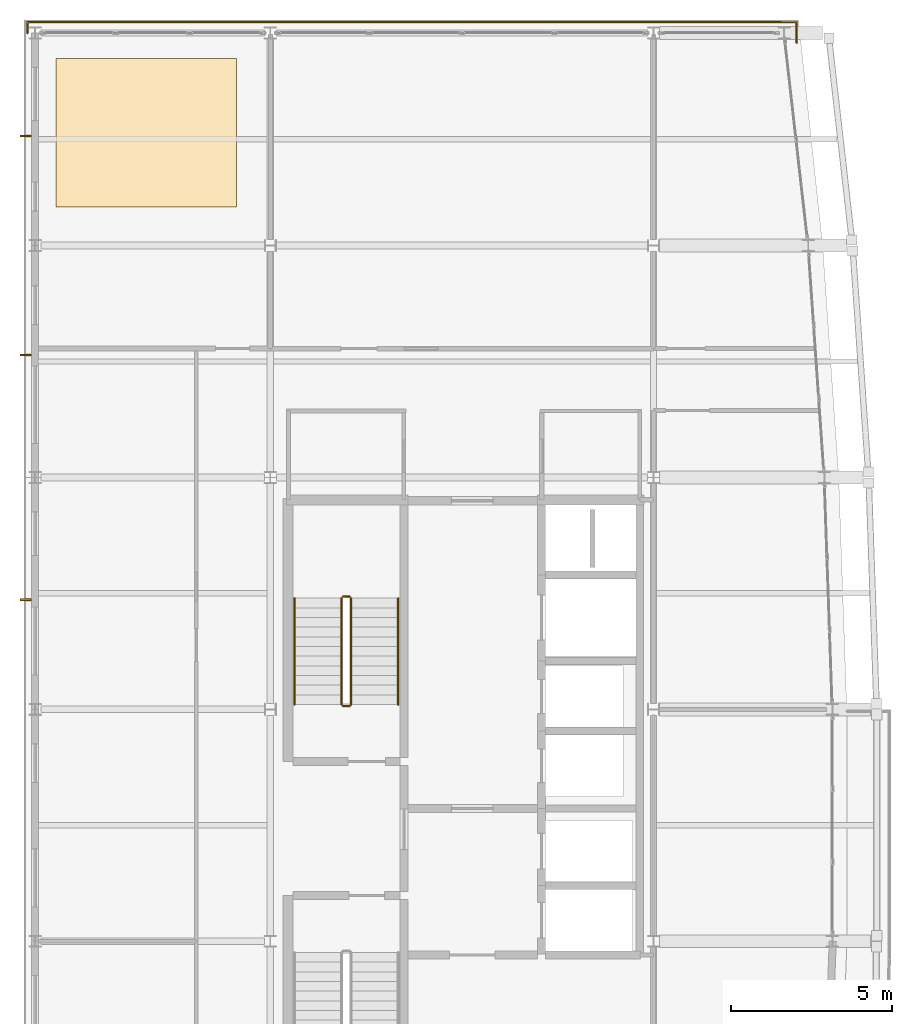
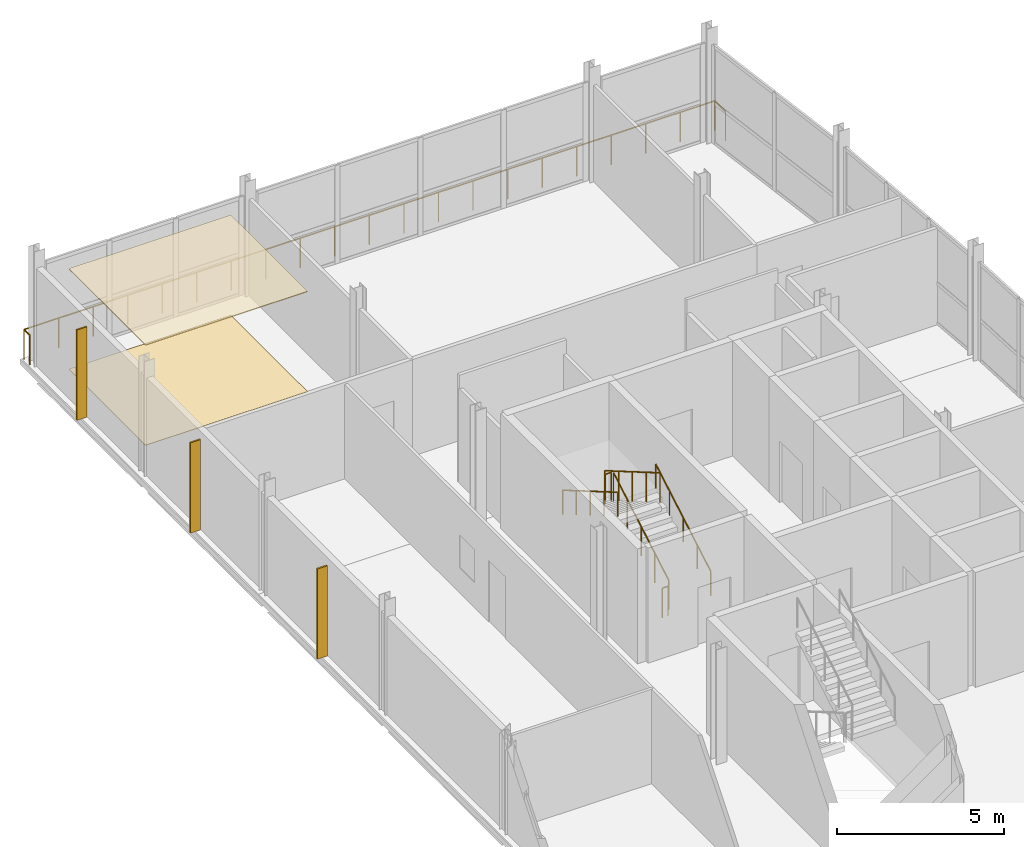
# One storey, part 17 of 17: 7 railings, 3 shading devices, 2 coverings.
"""IFC4 building model written with IfcOpenShell, lengths in metres."""

import ifcopenshell
import ifcopenshell.guid

model = None  # the IFC model being written
_history = None  # IfcOwnerHistory: only IFC2X3 demands one
_inside = {}  # id of a spatial element -> (the spatial element, [elements in it])
_under = {}  # id of a project, library or spatial element -> (it, [spatial elements below it])
_declared = {}  # id of a project -> (the project, [libraries it declares])
_typed = {}  # id of a type object -> (the type object, [elements of that type])
_made_of = {}  # id of a material, layer set ... -> (it, [elements and type objects made of it])


def new_model(schema):
    """Start an empty IFC model of exactly this schema.

    Asked for "IFC4X3", IfcOpenShell would pick the latest addendum, in which some entities
    have other attributes; the version numbers below select the first issue.
    IFC2X3 requires an IfcOwnerHistory on every rooted entity: one is made here for all.
    """
    global model, _history
    if schema == "IFC4X3":
        model = ifcopenshell.file(schema_version=(4, 3, 0, 0))
    else:
        model = ifcopenshell.file(schema=schema)
    _inside.clear()
    _under.clear()
    _declared.clear()
    _typed.clear()
    _made_of.clear()
    _history = None
    if model.schema == "IFC2X3":
        org = make("IfcOrganization", Name="unknown")
        user = make(
            "IfcPersonAndOrganization",
            ThePerson=make("IfcPerson", FamilyName="unknown"),
            TheOrganization=org,
        )
        app = make(
            "IfcApplication",
            ApplicationDeveloper=org,
            Version="unknown",
            ApplicationFullName="unknown",
            ApplicationIdentifier="unknown",
        )
        _history = make(
            "IfcOwnerHistory",
            OwningUser=user,
            OwningApplication=app,
            ChangeAction="ADDED",
            CreationDate=0,
        )
    return model


def make(cls, **values):
    """One entity of the class cls with the attributes given. An attribute that is None is left unset."""
    return model.create_entity(
        cls, **{name: value for name, value in values.items() if value is not None}
    )


def rooted(cls, **values):
    """An entity with a GlobalId (a new one), such as an element, a storey or a relation."""
    return make(cls, GlobalId=ifcopenshell.guid.new(), OwnerHistory=_history, **values)


def si_unit(unit_type, name, prefix=None):
    """IfcSIUnit, for example si_unit("LENGTHUNIT", "METRE", prefix="MILLI")."""
    return make("IfcSIUnit", UnitType=unit_type, Prefix=prefix, Name=name)


def assignment(units):
    """IfcUnitAssignment: the units of a project."""
    return None if units is None else make("IfcUnitAssignment", Units=units)


def point(xyz):
    """IfcCartesianPoint."""
    return None if xyz is None else make("IfcCartesianPoint", Coordinates=xyz)


def direction(xyz):
    """IfcDirection."""
    return None if xyz is None else make("IfcDirection", DirectionRatios=xyz)


def frame(location, z_axis=None, x_axis=None):
    """IfcAxis2Placement3D, a coordinate frame: its origin and axes. An axis left out is left unset."""
    return make(
        "IfcAxis2Placement3D",
        Location=point(location),
        Axis=direction(z_axis),
        RefDirection=direction(x_axis),
    )


def frame_2d(location, x_axis=None):
    """IfcAxis2Placement2D, a coordinate frame in the plane: its origin and x axis."""
    return make(
        "IfcAxis2Placement2D", Location=point(location), RefDirection=direction(x_axis)
    )


def origin():
    """The frame at (0, 0, 0) with its axes left unset."""
    return frame((0.0, 0.0, 0.0))


def origin_2d():
    """The frame at (0, 0) in the plane with its x axis left unset."""
    return frame_2d((0.0, 0.0))


def place(relative_to, where):
    """IfcLocalPlacement: puts the frame where relative to a parent placement (None: the world)."""
    return make(
        "IfcLocalPlacement", PlacementRelTo=relative_to, RelativePlacement=where
    )


def context(
    kind, dimensions, precision=None, world=None, true_north=None, identifier=None
):
    """IfcGeometricRepresentationContext, for example the 3D "Model" context."""
    return make(
        "IfcGeometricRepresentationContext",
        ContextIdentifier=identifier,
        ContextType=kind,
        CoordinateSpaceDimension=dimensions,
        Precision=precision,
        WorldCoordinateSystem=world,
        TrueNorth=true_north,
    )


def subcontext(parent, identifier, kind, view, scale=None):
    """IfcGeometricRepresentationSubContext, for example "Body" below "Model"."""
    return make(
        "IfcGeometricRepresentationSubContext",
        ContextIdentifier=identifier,
        ContextType=kind,
        ParentContext=parent,
        TargetScale=scale,
        TargetView=view,
    )


def project(units=None, contexts=None):
    """IfcProject with its units and contexts."""
    return rooted(
        "IfcProject",
        Name="project",
        RepresentationContexts=contexts,
        UnitsInContext=assignment(units),
    )


def spatial(cls, under=None, at=None, **own):
    """A site, building, storey or space (cls), placed at a placement, below another one or the project."""
    s = rooted(cls, ObjectPlacement=at, **own)
    if under is not None:
        _under.setdefault(under.id(), (under, []))[1].append(s)
    return s


def polyline(points):
    """IfcPolyline through the points."""
    return make("IfcPolyline", Points=[point(p) for p in points])


def profile(cls, at=None, kind="AREA", **sizes):
    """A parametric profile (cls). Its sizes go by their IFC names, for example OverallWidth=200.0."""
    return make(cls, ProfileType=kind, Position=at, **sizes)


def rectangle(**sizes):
    """IfcRectangleProfileDef."""
    return profile("IfcRectangleProfileDef", **sizes)


def circle(**sizes):
    """IfcCircleProfileDef."""
    return profile("IfcCircleProfileDef", **sizes)


def outline(outer, holes=None, kind="AREA"):
    """IfcArbitraryClosedProfileDef: a profile drawn as a closed curve; with holes, ...WithVoids."""
    if holes is None:
        return make("IfcArbitraryClosedProfileDef", ProfileType=kind, OuterCurve=outer)
    return make(
        "IfcArbitraryProfileDefWithVoids",
        ProfileType=kind,
        OuterCurve=outer,
        InnerCurves=holes,
    )


def extrude(swept, where, along, depth):
    """IfcExtrudedAreaSolid: the profile swept, set in the frame where, extruded along a direction by depth."""
    return make(
        "IfcExtrudedAreaSolid",
        SweptArea=swept,
        Position=where,
        ExtrudedDirection=direction(along),
        Depth=depth,
    )


def shape(context_of_items, identifier, shape_type, items):
    """IfcShapeRepresentation: the items that make up one representation, for example the "Body"."""
    return make(
        "IfcShapeRepresentation",
        ContextOfItems=context_of_items,
        RepresentationIdentifier=identifier,
        RepresentationType=shape_type,
        Items=items,
    )


def material(Name=None, Category=None):
    """IfcMaterial."""
    return make("IfcMaterial", Name=Name, Category=Category)


def layer(
    of_material, thickness, ventilated=None, Name=None, Category=None, Priority=None
):
    """IfcMaterialLayer: one layer of a wall or slab, of a material (None: an air gap)."""
    return make(
        "IfcMaterialLayer",
        Material=of_material,
        LayerThickness=thickness,
        IsVentilated=ventilated,
        Name=Name,
        Category=Category,
        Priority=Priority,
    )


def layer_set(layers, Name=None):
    """IfcMaterialLayerSet."""
    return make("IfcMaterialLayerSet", MaterialLayers=layers, LayerSetName=Name)


def made_of(thing, what):
    """Note that an element or type object is made of a material, layer set ...; save() writes the relation."""
    if what is not None:
        _made_of.setdefault(what.id(), (what, []))[1].append(thing)
    return thing


def type_object(cls, material=None, **own):
    """A type object (cls), such as IfcWallType, which elements share."""
    return made_of(rooted(cls, **own), material)


def element(
    cls,
    number,
    at=None,
    inside=None,
    cuts=None,
    type_object=None,
    material=None,
    context=None,
    identifier="Body",
    shape_type=None,
    held_by="IfcProductDefinitionShape",
    body=None,
    shapes=None,
    **own,
):
    """One element of the class cls, such as IfcWall. Its Tag is "e" and its number.

    at: its placement. inside: the storey or other place that contains it. cuts: it is an
    opening in that element (IfcRelVoidsElement). A single representation is given by context,
    identifier, shape_type and body (its items); several are given by shapes. held_by: the class
    of the entity that holds the representations. save() writes the other relations.
    """
    e = rooted(cls, Tag="e%d" % number, ObjectPlacement=at, **own)
    if body is not None:
        shapes = [shape(context, identifier, shape_type, body)]
    if shapes is not None:
        e.Representation = make(held_by, Representations=shapes)
    if inside is not None:
        _inside.setdefault(inside.id(), (inside, []))[1].append(e)
    if cuts is not None:
        rooted(
            "IfcRelVoidsElement", RelatingBuildingElement=cuts, RelatedOpeningElement=e
        )
    if type_object is not None:
        _typed.setdefault(type_object.id(), (type_object, []))[1].append(e)
    return made_of(e, material)


def aggregate(whole, parts):
    """IfcRelAggregates: a whole, such as a stair, and the parts it consists of."""
    return rooted("IfcRelAggregates", RelatingObject=whole, RelatedObjects=parts)


def save(model, path):
    """Write the relations noted so far, then the file.

    IfcRelAggregates (storeys below a building ...), IfcRelContainedInSpatialStructure (elements
    in a storey), IfcRelDefinesByType, IfcRelAssociatesMaterial and IfcRelDeclares: one each for
    every whole, place, type object, material and project.
    """
    for whole, parts in _under.values():
        aggregate(whole, parts)
    for where, things in _inside.values():
        rooted(
            "IfcRelContainedInSpatialStructure",
            RelatedElements=things,
            RelatingStructure=where,
        )
    for kind, things in _typed.values():
        rooted("IfcRelDefinesByType", RelatedObjects=things, RelatingType=kind)
    for what, things in _made_of.values():
        rooted("IfcRelAssociatesMaterial", RelatedObjects=things, RelatingMaterial=what)
    for by, libraries in _declared.values():
        rooted("IfcRelDeclares", RelatingContext=by, RelatedDefinitions=libraries)
    model.write(path)


model = new_model("IFC4")

# Units and contexts
model_context = context("Model", 3, precision=1e-05, world=origin(), true_north=direction((0.0, 1.0)))
body_context = subcontext(model_context, "Body", "Model", "MODEL_VIEW")
ifc_project = project(units=[si_unit("LENGTHUNIT", "METRE"), si_unit("AREAUNIT", "SQUARE_METRE"), si_unit("VOLUMEUNIT", "CUBIC_METRE"), si_unit("PLANEANGLEUNIT", "RADIAN"), si_unit("MASSUNIT", "GRAM", prefix="KILO")], contexts=[model_context])

# Site, building, storey
site_placement = place(None, origin())
site = spatial("IfcSite", under=ifc_project, at=site_placement, CompositionType="ELEMENT")
building_placement = place(site_placement, origin())
building = spatial("IfcBuilding", under=site, at=building_placement, Name="Quillay Park Conservatory", CompositionType="ELEMENT")
storey_placement = place(building_placement, frame((0.0, 0.0, 47.699951171875)))
storey = spatial("IfcBuildingStorey", under=building, at=storey_placement, Name="L11", CompositionType="ELEMENT", Elevation=47.699951171875)

# Coverings
ifc_material_1 = material(Name="Perforated Mineral-Fibre Acoustic Ceiling")
ifc_layer_1 = layer(ifc_material_1, 0.030029296875)
ifc_layer_set_1 = layer_set([ifc_layer_1], Name="LABORATORY HYGIENIC CEILING 30 (Perforated Mineral-Fibre Acoustic Ceiling)")
covering_type_1 = type_object("IfcCoveringType", Name="LABORATORY HYGIENIC CEILING 30", PredefinedType="CEILING", material=ifc_layer_set_1)
covering_1_placement = place(storey_placement, frame((0.0, 0.0, 3.656982421875)))
element("IfcCovering", 1, at=covering_1_placement, inside=storey, type_object=covering_type_1, Name="L11 Suspended Acoustic Ceiling", PredefinedType="CEILING", context=body_context, shape_type="SweptSolid", body=[
    extrude(outline(polyline([(1.199951171875, 108.0), (6.800048828125, 108.0), (6.800048828125, 112.60009765625), (1.199951171875, 112.60009765625), (1.199951171875, 108.0)])), origin(), (0.0, 0.0, 1.0), 0.030029296875),
])
ifc_material_2 = material(Name="Seamless Chemical-Resistant Epoxy Flooring")
ifc_layer_2 = layer(ifc_material_2, 0.01806640625)
ifc_layer_set_2 = layer_set([ifc_layer_2], Name="SEAMLESS EPOXY LAB FLOORING 18 (Seamless Chemical-Resistant Epoxy Flooring)")
covering_type_2 = type_object("IfcCoveringType", Name="SEAMLESS EPOXY LAB FLOORING 18", PredefinedType="FLOORING", material=ifc_layer_set_2)
covering_2_placement = place(storey_placement, origin())
element("IfcCovering", 2, at=covering_2_placement, inside=storey, type_object=covering_type_2, Name="L11 Interior Flooring Finish", PredefinedType="FLOORING", context=body_context, shape_type="SweptSolid", body=[
    extrude(outline(polyline([(1.199951171875, 108.0), (6.800048828125, 108.0), (6.800048828125, 112.60009765625), (1.199951171875, 112.60009765625), (1.199951171875, 108.0)])), origin(), (0.0, 0.0, 1.0), 0.01806640625),
])

# Railings
ifc_material_3 = material(Name="Steel S355J2H", Category="steel")
railing_type_1 = type_object("IfcRailingType", Name="STAIR WALL HANDRAIL 900", PredefinedType="HANDRAIL", material=ifc_material_3)
railing_1_placement = place(storey_placement, frame((11.820068359375, 92.550048828125, 0.175048828125)))
element("IfcRailing", 3, at=railing_1_placement, inside=storey, type_object=railing_type_1, Name="L11 ST-T1 stair handrail 1", PredefinedType="HANDRAIL", context=body_context, shape_type="SweptSolid", body=[
    extrude(circle(Radius=0.02392578125, at=origin_2d()), frame((0.0, 0.0, 0.8759765625), z_axis=(0.0, 0.863776583165, 0.503874998761), x_axis=(-1.0, 0.0, 0.0)), (0.0, 0.0, 1.0), 3.820556640625),
    extrude(circle(Radius=0.02099609375, at=origin_2d()), origin(), (0.0, 0.0, 1.0), 0.851806640625),
    extrude(circle(Radius=0.02099609375, at=origin_2d()), frame((0.0, 0.824951171875, 0.481201171875)), (0.0, 0.0, 1.0), 0.851806640625),
    extrude(circle(Radius=0.02099609375, at=origin_2d()), frame((0.0, 1.64990234375, 0.96240234375)), (0.0, 0.0, 1.0), 0.851806640625),
    extrude(circle(Radius=0.02099609375, at=origin_2d()), frame((0.0, 2.47509765625, 1.44384765625)), (0.0, 0.0, 1.0), 0.851806640625),
    extrude(circle(Radius=0.02099609375, at=origin_2d()), frame((0.0, 3.300048828125, 1.925048828125)), (0.0, 0.0, 1.0), 0.851806640625),
])
railing_2_placement = place(storey_placement, frame((8.60009765625, 95.85009765625, 2.275146484375)))
element("IfcRailing", 4, at=railing_2_placement, inside=storey, type_object=railing_type_1, Name="L11 ST-T1 stair handrail 2", PredefinedType="HANDRAIL", context=body_context, shape_type="SweptSolid", body=[
    extrude(circle(Radius=0.02392578125, at=origin_2d()), frame((0.0, 0.0, 0.8759765625), z_axis=(0.0, -0.863804395585, 0.503827317807), x_axis=(1.0, 0.0, 0.0)), (0.0, 0.0, 1.0), 3.8203125),
    extrude(circle(Radius=0.02099609375, at=origin_2d()), origin(), (0.0, 0.0, 1.0), 0.851806640625),
    extrude(circle(Radius=0.02099609375, at=origin_2d()), frame((0.0, -0.824951171875, 0.481201171875)), (0.0, 0.0, 1.0), 0.851806640625),
    extrude(circle(Radius=0.02099609375, at=origin_2d()), frame((0.0, -1.64990234375, 0.96240234375)), (0.0, 0.0, 1.0), 0.851806640625),
    extrude(circle(Radius=0.02099609375, at=origin_2d()), frame((0.0, -2.47509765625, 1.443603515625)), (0.0, 0.0, 1.0), 0.851806640625),
    extrude(circle(Radius=0.02099609375, at=origin_2d()), frame((0.0, -3.300048828125, 1.9248046875)), (0.0, 0.0, 1.0), 0.851806640625),
])
ifc_material_4 = material(Name="Steel S355J2H", Category="steel")
railing_type_2 = type_object("IfcRailingType", Name="STAIR WELL GUARDRAIL 1100", PredefinedType="GUARDRAIL", material=ifc_material_4)
railing_3_placement = place(storey_placement, frame((10.360107421875, 92.550048828125, 0.175048828125)))
element("IfcRailing", 5, at=railing_3_placement, inside=storey, type_object=railing_type_2, Name="L11 ST-T1 stair guard 1", PredefinedType="GUARDRAIL", context=body_context, shape_type="SweptSolid", body=[
    extrude(circle(Radius=0.02392578125, at=origin_2d()), frame((0.0, 0.0, 1.076171875), z_axis=(0.0, 0.863776583165, 0.503874998761), x_axis=(-1.0, 0.0, 0.0)), (0.0, 0.0, 1.0), 3.820556640625),
    extrude(circle(Radius=0.02099609375, at=origin_2d()), origin(), (0.0, 0.0, 1.0), 1.052001953125),
    extrude(circle(Radius=0.02099609375, at=origin_2d()), frame((0.0, 0.824951171875, 0.481201171875)), (0.0, 0.0, 1.0), 1.052001953125),
    extrude(circle(Radius=0.02099609375, at=origin_2d()), frame((0.0, 1.64990234375, 0.96240234375)), (0.0, 0.0, 1.0), 1.052001953125),
    extrude(circle(Radius=0.02099609375, at=origin_2d()), frame((0.0, 2.47509765625, 1.44384765625)), (0.0, 0.0, 1.0), 1.052001953125),
    extrude(circle(Radius=0.02099609375, at=origin_2d()), frame((0.0, 3.300048828125, 1.925048828125)), (0.0, 0.0, 1.0), 1.052001953125),
])
railing_4_placement = place(storey_placement, frame((10.31005859375, 95.89990234375, 2.10009765625)))
element("IfcRailing", 6, at=railing_4_placement, inside=storey, type_object=railing_type_2, Name="L11 ST-T1 stair guard 2", PredefinedType="GUARDRAIL", context=body_context, shape_type="SweptSolid", body=[
    extrude(circle(Radius=0.02392578125, at=origin_2d()), frame((0.0, 0.0, 1.076171875), z_axis=(-1.0, 0.0, 0.0), x_axis=(0.0, -1.0, 0.0)), (0.0, 0.0, 1.0), 0.199951171875),
    extrude(circle(Radius=0.02099609375, at=origin_2d()), origin(), (0.0, 0.0, 1.0), 1.052001953125),
    extrude(circle(Radius=0.02099609375, at=origin_2d()), frame((-0.199951171875, 0.0, 0.0)), (0.0, 0.0, 1.0), 1.052001953125),
])
railing_5_placement = place(storey_placement, frame((10.06005859375, 95.85009765625, 2.275146484375)))
element("IfcRailing", 7, at=railing_5_placement, inside=storey, type_object=railing_type_2, Name="L11 ST-T1 stair guard 3", PredefinedType="GUARDRAIL", context=body_context, shape_type="SweptSolid", body=[
    extrude(circle(Radius=0.02392578125, at=origin_2d()), frame((0.0, 0.0, 1.076171875), z_axis=(0.0, -0.863804395585, 0.503827317807), x_axis=(1.0, 0.0, 0.0)), (0.0, 0.0, 1.0), 3.8203125),
    extrude(circle(Radius=0.02099609375, at=origin_2d()), origin(), (0.0, 0.0, 1.0), 1.052001953125),
    extrude(circle(Radius=0.02099609375, at=origin_2d()), frame((0.0, -0.824951171875, 0.481201171875)), (0.0, 0.0, 1.0), 1.052001953125),
    extrude(circle(Radius=0.02099609375, at=origin_2d()), frame((0.0, -1.64990234375, 0.96240234375)), (0.0, 0.0, 1.0), 1.052001953125),
    extrude(circle(Radius=0.02099609375, at=origin_2d()), frame((0.0, -2.47509765625, 1.443603515625)), (0.0, 0.0, 1.0), 1.052001953125),
    extrude(circle(Radius=0.02099609375, at=origin_2d()), frame((0.0, -3.300048828125, 1.9248046875)), (0.0, 0.0, 1.0), 1.052001953125),
])
railing_6_placement = place(storey_placement, frame((10.31005859375, 92.5, 0.0)))
element("IfcRailing", 8, at=railing_6_placement, inside=storey, type_object=railing_type_2, Name="L11 ST-T1 stair guard 4", PredefinedType="GUARDRAIL", context=body_context, shape_type="SweptSolid", body=[
    extrude(circle(Radius=0.02392578125, at=origin_2d()), frame((0.0, 0.0, 1.076171875), z_axis=(-1.0, 0.0, 0.0), x_axis=(0.0, -1.0, 0.0)), (0.0, 0.0, 1.0), 0.199951171875),
    extrude(circle(Radius=0.02099609375, at=origin_2d()), origin(), (0.0, 0.0, 1.0), 1.052001953125),
    extrude(circle(Radius=0.02099609375, at=origin_2d()), frame((-0.199951171875, 0.0, 0.0)), (0.0, 0.0, 1.0), 1.052001953125),
])
ifc_material_5 = material(Name="Steel S355J2H", Category="steel")
railing_type_3 = type_object("IfcRailingType", Name="TERRACE PERIMETER GUARDRAIL 1100", PredefinedType="GUARDRAIL", material=ifc_material_5)
railing_7_placement = place(storey_placement, frame((0.31005859375, 113.39990234375, 0.0)))
element("IfcRailing", 9, at=railing_7_placement, inside=storey, type_object=railing_type_3, Name="L11 Perimeter Safety Guardrail 037", PredefinedType="GUARDRAIL", context=body_context, shape_type="SweptSolid", body=[
    extrude(circle(Radius=0.02392578125, at=origin_2d()), frame((0.0, 0.0, 1.076171875), z_axis=(0.0, 1.0, 0.0), x_axis=(-1.0, 0.0, 0.0)), (0.0, 0.0, 1.0), 0.340087890625),
    extrude(circle(Radius=0.02392578125, at=origin_2d()), frame((0.0, 0.340087890625, 1.076171875), z_axis=(1.0, 0.0, 0.0), x_axis=(0.0, 1.0, 0.0)), (0.0, 0.0, 1.0), 23.8798828125),
    extrude(circle(Radius=0.02392578125, at=origin_2d()), frame((23.8798828125, 0.340087890625, 1.076171875), z_axis=(0.0, -1.0, 0.0), x_axis=(1.0, 0.0, 0.0)), (0.0, 0.0, 1.0), 0.639892578125),
    extrude(circle(Radius=0.02099609375, at=origin_2d()), origin(), (0.0, 0.0, 1.0), 1.052001953125),
    extrude(circle(Radius=0.02099609375, at=origin_2d()), frame((0.0, 0.340087890625, 0.0)), (0.0, 0.0, 1.0), 1.052001953125),
    extrude(circle(Radius=0.02099609375, at=origin_2d()), frame((1.194091796875, 0.340087890625, 0.0)), (0.0, 0.0, 1.0), 1.052001953125),
    extrude(circle(Radius=0.02099609375, at=origin_2d()), frame((2.387939453125, 0.340087890625, 0.0)), (0.0, 0.0, 1.0), 1.052001953125),
    extrude(circle(Radius=0.02099609375, at=origin_2d()), frame((3.58203125, 0.340087890625, 0.0)), (0.0, 0.0, 1.0), 1.052001953125),
    extrude(circle(Radius=0.02099609375, at=origin_2d()), frame((4.77587890625, 0.340087890625, 0.0)), (0.0, 0.0, 1.0), 1.052001953125),
    extrude(circle(Radius=0.02099609375, at=origin_2d()), frame((5.969970703125, 0.340087890625, 0.0)), (0.0, 0.0, 1.0), 1.052001953125),
    extrude(circle(Radius=0.02099609375, at=origin_2d()), frame((7.1640625, 0.340087890625, 0.0)), (0.0, 0.0, 1.0), 1.052001953125),
    extrude(circle(Radius=0.02099609375, at=origin_2d()), frame((8.35791015625, 0.340087890625, 0.0)), (0.0, 0.0, 1.0), 1.052001953125),
    extrude(circle(Radius=0.02099609375, at=origin_2d()), frame((9.552001953125, 0.340087890625, 0.0)), (0.0, 0.0, 1.0), 1.052001953125),
    extrude(circle(Radius=0.02099609375, at=origin_2d()), frame((10.745849609375, 0.340087890625, 0.0)), (0.0, 0.0, 1.0), 1.052001953125),
    extrude(circle(Radius=0.02099609375, at=origin_2d()), frame((11.93994140625, 0.340087890625, 0.0)), (0.0, 0.0, 1.0), 1.052001953125),
    extrude(circle(Radius=0.02099609375, at=origin_2d()), frame((13.134033203125, 0.340087890625, 0.0)), (0.0, 0.0, 1.0), 1.052001953125),
    extrude(circle(Radius=0.02099609375, at=origin_2d()), frame((14.327880859375, 0.340087890625, 0.0)), (0.0, 0.0, 1.0), 1.052001953125),
    extrude(circle(Radius=0.02099609375, at=origin_2d()), frame((15.52197265625, 0.340087890625, 0.0)), (0.0, 0.0, 1.0), 1.052001953125),
    extrude(circle(Radius=0.02099609375, at=origin_2d()), frame((16.7158203125, 0.340087890625, 0.0)), (0.0, 0.0, 1.0), 1.052001953125),
    extrude(circle(Radius=0.02099609375, at=origin_2d()), frame((17.909912109375, 0.340087890625, 0.0)), (0.0, 0.0, 1.0), 1.052001953125),
    extrude(circle(Radius=0.02099609375, at=origin_2d()), frame((19.10400390625, 0.340087890625, 0.0)), (0.0, 0.0, 1.0), 1.052001953125),
    extrude(circle(Radius=0.02099609375, at=origin_2d()), frame((20.2978515625, 0.340087890625, 0.0)), (0.0, 0.0, 1.0), 1.052001953125),
    extrude(circle(Radius=0.02099609375, at=origin_2d()), frame((21.491943359375, 0.340087890625, 0.0)), (0.0, 0.0, 1.0), 1.052001953125),
    extrude(circle(Radius=0.02099609375, at=origin_2d()), frame((22.685791015625, 0.340087890625, 0.0)), (0.0, 0.0, 1.0), 1.052001953125),
    extrude(circle(Radius=0.02099609375, at=origin_2d()), frame((23.8798828125, 0.340087890625, 0.0)), (0.0, 0.0, 1.0), 1.052001953125),
    extrude(circle(Radius=0.02099609375, at=origin_2d()), frame((23.8798828125, -0.2998046875, 0.0)), (0.0, 0.0, 1.0), 1.052001953125),
])

# Shading devices
ifc_material_6 = material(Name="Perforated Copper-Bronze Anodised Aluminium", Category="aluminium")
shading_device_type = type_object("IfcShadingDeviceType", Name="COPPER BRONZE SOLAR FIN", PredefinedType="USERDEFINED", material=ifc_material_6)
for number, where, z_axis, x_axis, name in (
    (10, (0.2548828125, 95.800048828125, 0.0), (0.0, 0.0, 1.0), (1.0, 0.0, 0.0), "L11 Perforated Copper-Bronze Solar Fin 038"),
    (11, (0.2548828125, 103.39990234375, 0.0), (0.0, 0.0, 1.0), (1.0, 0.0, 0.0), "L11 Perforated Copper-Bronze Solar Fin 039"),
    (12, (0.2548828125, 110.199951171875, 0.0), (0.0, 0.0, 1.0), (1.0, 0.0, 0.0), "L11 Perforated Copper-Bronze Solar Fin 040"),
):
    element("IfcShadingDevice", number, at=place(storey_placement, frame(where, z_axis=z_axis, x_axis=x_axis)), inside=storey, type_object=shading_device_type, Name=name, ObjectType="SOLAR FIN", PredefinedType="USERDEFINED", context=body_context, shape_type="SweptSolid", body=[
        extrude(rectangle(XDim=0.35009765625, YDim=0.054931640625, at=origin_2d()), origin(), (0.0, 0.0, 1.0), 3.300048828125),
    ])

save(model, "model.ifc")
